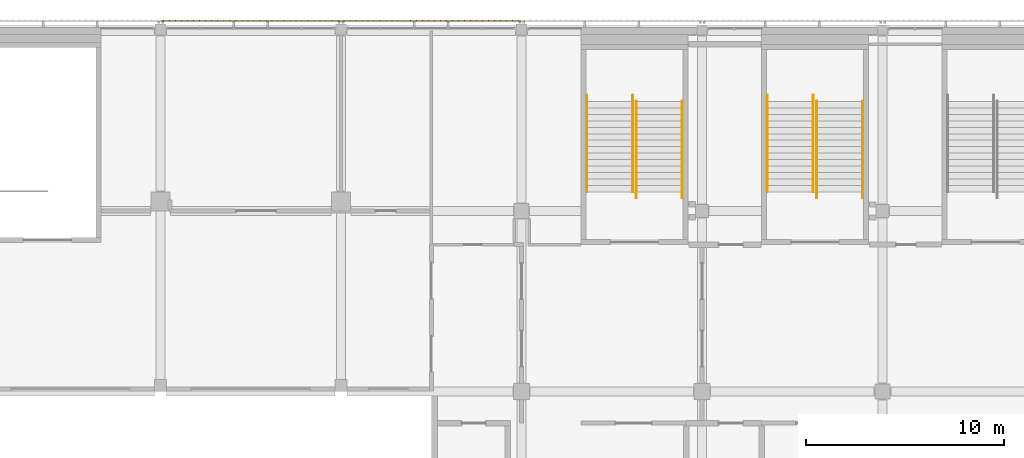
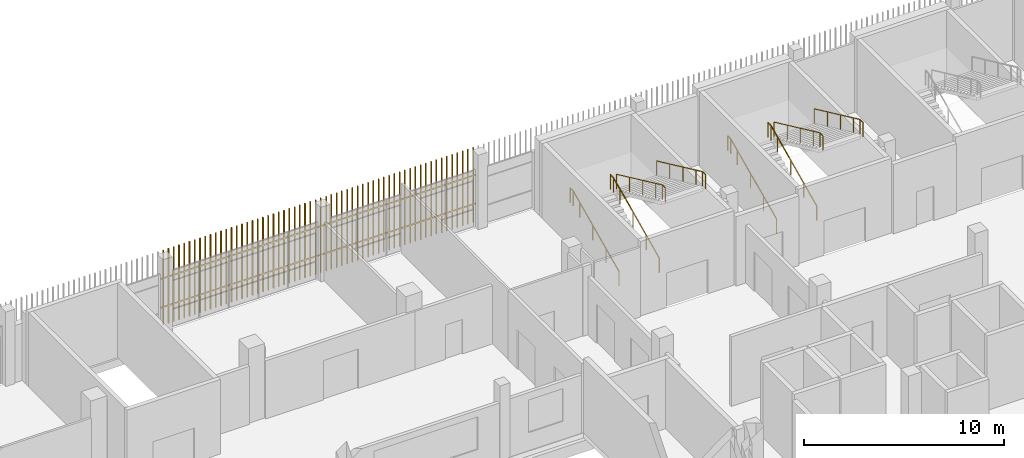
# One storey, part 98 of 104: 8 railings, 2 shading devices.
"""IFC4 building model written with IfcOpenShell, lengths in metres."""

from ifc_helpers import new_model, si_unit, direction, frame, origin, origin_2d, place, context, subcontext, project, spatial, rectangle, circle, extrude, material, type_object, element, save


model = new_model("IFC4")

# Units and contexts
model_context = context("Model", 3, precision=1e-05, world=origin(), true_north=direction((0.0, 1.0)))
body_context = subcontext(model_context, "Body", "Model", "MODEL_VIEW")
ifc_project = project(units=[si_unit("LENGTHUNIT", "METRE"), si_unit("AREAUNIT", "SQUARE_METRE"), si_unit("VOLUMEUNIT", "CUBIC_METRE"), si_unit("PLANEANGLEUNIT", "RADIAN"), si_unit("MASSUNIT", "GRAM", prefix="KILO")], contexts=[model_context])

# Site, building, storey
site_placement = place(None, origin())
site = spatial("IfcSite", under=ifc_project, at=site_placement, CompositionType="ELEMENT")
building_placement = place(site_placement, origin())
building = spatial("IfcBuilding", under=site, at=building_placement, Name="Shirokan Park Arena", CompositionType="ELEMENT")
storey_placement = place(building_placement, frame((0.0, 0.0, 10.919921875)))
storey = spatial("IfcBuildingStorey", under=building, at=storey_placement, Name="L02", CompositionType="ELEMENT", Elevation=10.919921875)

# Railings
ifc_material_1 = material(Name="Stainless steel", Category="steel")
railing_type = type_object("IfcRailingType", Name="Stair handrail 900", PredefinedType="HANDRAIL", material=ifc_material_1)
railing_1_placement = place(storey_placement, frame((121.590087890625, 101.050048828125, 0.15185546875)))
element("IfcRailing", 1, at=railing_1_placement, inside=storey, type_object=railing_type, Name="Handrail Exit Stair 3.C L02 to L03", PredefinedType="HANDRAIL", context=body_context, shape_type="SweptSolid", body=[
    extrude(circle(Radius=0.02392578125, at=origin_2d()), frame((0.0, 0.0, 0.8759765625), z_axis=(0.0, 0.907064445915, 0.420991794405), x_axis=(-1.0, 0.0, 0.0)), (0.0, 0.0, 1.0), 1.4404296875),
    extrude(circle(Radius=0.02392578125, at=origin_2d()), frame((0.0, 1.306640625, 1.482421875), z_axis=(0.0, 0.907029769225, 0.421066500378), x_axis=(-1.0, 0.0, 0.0)), (0.0, 0.0, 1.0), 1.44091796875),
    extrude(circle(Radius=0.02392578125, at=origin_2d()), frame((0.0, 2.613525390625, 2.0888671875), z_axis=(0.0, 0.907029769225, 0.421066500378), x_axis=(-1.0, 0.0, 0.0)), (0.0, 0.0, 1.0), 1.44091796875),
    extrude(circle(Radius=0.02392578125, at=origin_2d()), frame((0.0, 3.92041015625, 2.69580078125), z_axis=(0.0, 0.906934982928, 0.421270621741), x_axis=(-1.0, 0.0, 0.0)), (0.0, 0.0, 1.0), 0.720458984375),
    extrude(circle(Radius=0.02392578125, at=origin_2d()), frame((0.0, 4.57373046875, 2.9990234375), z_axis=(0.0, 1.0, 0.0), x_axis=(-1.0, 0.0, 0.0)), (0.0, 0.0, 1.0), 0.300048828125),
    extrude(circle(Radius=0.02099609375, at=origin_2d()), origin(), (0.0, 0.0, 1.0), 0.851806640625),
    extrude(circle(Radius=0.02099609375, at=origin_2d()), frame((0.0, 1.306640625, 0.6064453125)), (0.0, 0.0, 1.0), 0.851806640625),
    extrude(circle(Radius=0.02099609375, at=origin_2d()), frame((0.0, 2.613525390625, 1.213134765625)), (0.0, 0.0, 1.0), 0.851806640625),
    extrude(circle(Radius=0.02099609375, at=origin_2d()), frame((0.0, 3.92041015625, 1.81982421875)), (0.0, 0.0, 1.0), 0.851806640625),
    extrude(circle(Radius=0.02099609375, at=origin_2d()), frame((0.0, 4.57373046875, 2.123291015625)), (0.0, 0.0, 1.0), 0.851806640625),
    extrude(circle(Radius=0.02099609375, at=origin_2d()), frame((0.0, 4.873779296875, 2.123291015625)), (0.0, 0.0, 1.0), 0.851806640625),
])
railing_2_placement = place(storey_placement, frame((123.909912109375, 101.050048828125, 0.15185546875)))
element("IfcRailing", 2, at=railing_2_placement, inside=storey, type_object=railing_type, Name="Handrail Exit Stair 3.C L02 to L03", PredefinedType="HANDRAIL", context=body_context, shape_type="SweptSolid", body=[
    extrude(circle(Radius=0.02392578125, at=origin_2d()), frame((0.0, 0.0, 0.8759765625), z_axis=(0.0, 0.907064445915, 0.420991794405), x_axis=(-1.0, 0.0, 0.0)), (0.0, 0.0, 1.0), 1.4404296875),
    extrude(circle(Radius=0.02392578125, at=origin_2d()), frame((0.0, 1.306640625, 1.482421875), z_axis=(0.0, 0.907029769225, 0.421066500378), x_axis=(-1.0, 0.0, 0.0)), (0.0, 0.0, 1.0), 1.44091796875),
    extrude(circle(Radius=0.02392578125, at=origin_2d()), frame((0.0, 2.613525390625, 2.0888671875), z_axis=(0.0, 0.907029769225, 0.421066500378), x_axis=(-1.0, 0.0, 0.0)), (0.0, 0.0, 1.0), 1.44091796875),
    extrude(circle(Radius=0.02392578125, at=origin_2d()), frame((0.0, 3.92041015625, 2.69580078125), z_axis=(0.0, 0.906934982928, 0.421270621741), x_axis=(-1.0, 0.0, 0.0)), (0.0, 0.0, 1.0), 0.720458984375),
    extrude(circle(Radius=0.02392578125, at=origin_2d()), frame((0.0, 4.57373046875, 2.9990234375), z_axis=(0.0, 1.0, 0.0), x_axis=(-1.0, 0.0, 0.0)), (0.0, 0.0, 1.0), 0.300048828125),
    extrude(circle(Radius=0.02099609375, at=origin_2d()), origin(), (0.0, 0.0, 1.0), 0.851806640625),
    extrude(circle(Radius=0.02099609375, at=origin_2d()), frame((0.0, 1.306640625, 0.6064453125)), (0.0, 0.0, 1.0), 0.851806640625),
    extrude(circle(Radius=0.02099609375, at=origin_2d()), frame((0.0, 2.613525390625, 1.213134765625)), (0.0, 0.0, 1.0), 0.851806640625),
    extrude(circle(Radius=0.02099609375, at=origin_2d()), frame((0.0, 3.92041015625, 1.81982421875)), (0.0, 0.0, 1.0), 0.851806640625),
    extrude(circle(Radius=0.02099609375, at=origin_2d()), frame((0.0, 4.57373046875, 2.123291015625)), (0.0, 0.0, 1.0), 0.851806640625),
    extrude(circle(Radius=0.02099609375, at=origin_2d()), frame((0.0, 4.873779296875, 2.123291015625)), (0.0, 0.0, 1.0), 0.851806640625),
])
railing_3_placement = place(storey_placement, frame((124.090087890625, 105.623779296875, 2.4267578125)))
element("IfcRailing", 3, at=railing_3_placement, inside=storey, type_object=railing_type, Name="Handrail Exit Stair 3.C L02 to L03", PredefinedType="HANDRAIL", context=body_context, shape_type="SweptSolid", body=[
    extrude(circle(Radius=0.02392578125, at=origin_2d()), frame((0.0, 0.0, 0.8759765625), z_axis=(0.0, -0.907029769225, 0.421066500378), x_axis=(1.0, 0.0, 0.0)), (0.0, 0.0, 1.0), 1.44091796875),
    extrude(circle(Radius=0.02392578125, at=origin_2d()), frame((0.0, -1.306884765625, 1.482421875), z_axis=(0.0, -0.906999720516, 0.421131222998), x_axis=(1.0, 0.0, 0.0)), (0.0, 0.0, 1.0), 1.440673828125),
    extrude(circle(Radius=0.02392578125, at=origin_2d()), frame((0.0, -2.613525390625, 2.08935546875), z_axis=(0.0, -0.907029769225, 0.421066500378), x_axis=(1.0, 0.0, 0.0)), (0.0, 0.0, 1.0), 1.44091796875),
    extrude(circle(Radius=0.02392578125, at=origin_2d()), frame((0.0, -3.92041015625, 2.69580078125), z_axis=(0.0, -0.907064445915, 0.420991794405), x_axis=(1.0, 0.0, 0.0)), (0.0, 0.0, 1.0), 0.72021484375),
    extrude(circle(Radius=0.02392578125, at=origin_2d()), frame((0.0, -4.57373046875, 2.9990234375), z_axis=(0.0, -1.0, 0.0), x_axis=(1.0, 0.0, 0.0)), (0.0, 0.0, 1.0), 0.300048828125),
    extrude(circle(Radius=0.02099609375, at=origin_2d()), origin(), (0.0, 0.0, 1.0), 0.851806640625),
    extrude(circle(Radius=0.02099609375, at=origin_2d()), frame((0.0, -1.306884765625, 0.606689453125)), (0.0, 0.0, 1.0), 0.851806640625),
    extrude(circle(Radius=0.02099609375, at=origin_2d()), frame((0.0, -2.613525390625, 1.21337890625)), (0.0, 0.0, 1.0), 0.851806640625),
    extrude(circle(Radius=0.02099609375, at=origin_2d()), frame((0.0, -3.92041015625, 1.820068359375)), (0.0, 0.0, 1.0), 0.851806640625),
    extrude(circle(Radius=0.02099609375, at=origin_2d()), frame((0.0, -4.57373046875, 2.123291015625)), (0.0, 0.0, 1.0), 0.851806640625),
    extrude(circle(Radius=0.02099609375, at=origin_2d()), frame((0.0, -4.873779296875, 2.123291015625)), (0.0, 0.0, 1.0), 0.851806640625),
])
railing_4_placement = place(storey_placement, frame((126.409912109375, 105.623779296875, 2.4267578125)))
element("IfcRailing", 4, at=railing_4_placement, inside=storey, type_object=railing_type, Name="Handrail Exit Stair 3.C L02 to L03", PredefinedType="HANDRAIL", context=body_context, shape_type="SweptSolid", body=[
    extrude(circle(Radius=0.02392578125, at=origin_2d()), frame((0.0, 0.0, 0.8759765625), z_axis=(0.0, -0.907029769225, 0.421066500378), x_axis=(1.0, 0.0, 0.0)), (0.0, 0.0, 1.0), 1.44091796875),
    extrude(circle(Radius=0.02392578125, at=origin_2d()), frame((0.0, -1.306884765625, 1.482421875), z_axis=(0.0, -0.906999720516, 0.421131222998), x_axis=(1.0, 0.0, 0.0)), (0.0, 0.0, 1.0), 1.440673828125),
    extrude(circle(Radius=0.02392578125, at=origin_2d()), frame((0.0, -2.613525390625, 2.08935546875), z_axis=(0.0, -0.907029769225, 0.421066500378), x_axis=(1.0, 0.0, 0.0)), (0.0, 0.0, 1.0), 1.44091796875),
    extrude(circle(Radius=0.02392578125, at=origin_2d()), frame((0.0, -3.92041015625, 2.69580078125), z_axis=(0.0, -0.907064445915, 0.420991794405), x_axis=(1.0, 0.0, 0.0)), (0.0, 0.0, 1.0), 0.72021484375),
    extrude(circle(Radius=0.02392578125, at=origin_2d()), frame((0.0, -4.57373046875, 2.9990234375), z_axis=(0.0, -1.0, 0.0), x_axis=(1.0, 0.0, 0.0)), (0.0, 0.0, 1.0), 0.300048828125),
    extrude(circle(Radius=0.02099609375, at=origin_2d()), origin(), (0.0, 0.0, 1.0), 0.851806640625),
    extrude(circle(Radius=0.02099609375, at=origin_2d()), frame((0.0, -1.306884765625, 0.606689453125)), (0.0, 0.0, 1.0), 0.851806640625),
    extrude(circle(Radius=0.02099609375, at=origin_2d()), frame((0.0, -2.613525390625, 1.21337890625)), (0.0, 0.0, 1.0), 0.851806640625),
    extrude(circle(Radius=0.02099609375, at=origin_2d()), frame((0.0, -3.92041015625, 1.820068359375)), (0.0, 0.0, 1.0), 0.851806640625),
    extrude(circle(Radius=0.02099609375, at=origin_2d()), frame((0.0, -4.57373046875, 2.123291015625)), (0.0, 0.0, 1.0), 0.851806640625),
    extrude(circle(Radius=0.02099609375, at=origin_2d()), frame((0.0, -4.873779296875, 2.123291015625)), (0.0, 0.0, 1.0), 0.851806640625),
])
railing_5_placement = place(storey_placement, frame((112.489990234375, 101.050048828125, 0.15185546875)))
element("IfcRailing", 5, at=railing_5_placement, inside=storey, type_object=railing_type, Name="Handrail Exit Stair 3.D L02 to L03", PredefinedType="HANDRAIL", context=body_context, shape_type="SweptSolid", body=[
    extrude(circle(Radius=0.02392578125, at=origin_2d()), frame((0.0, 0.0, 0.8759765625), z_axis=(0.0, 0.907064445915, 0.420991794405), x_axis=(-1.0, 0.0, 0.0)), (0.0, 0.0, 1.0), 1.4404296875),
    extrude(circle(Radius=0.02392578125, at=origin_2d()), frame((0.0, 1.306640625, 1.482421875), z_axis=(0.0, 0.907029769225, 0.421066500378), x_axis=(-1.0, 0.0, 0.0)), (0.0, 0.0, 1.0), 1.44091796875),
    extrude(circle(Radius=0.02392578125, at=origin_2d()), frame((0.0, 2.613525390625, 2.0888671875), z_axis=(0.0, 0.907029769225, 0.421066500378), x_axis=(-1.0, 0.0, 0.0)), (0.0, 0.0, 1.0), 1.44091796875),
    extrude(circle(Radius=0.02392578125, at=origin_2d()), frame((0.0, 3.92041015625, 2.69580078125), z_axis=(0.0, 0.906934982928, 0.421270621741), x_axis=(-1.0, 0.0, 0.0)), (0.0, 0.0, 1.0), 0.720458984375),
    extrude(circle(Radius=0.02392578125, at=origin_2d()), frame((0.0, 4.57373046875, 2.9990234375), z_axis=(0.0, 1.0, 0.0), x_axis=(-1.0, 0.0, 0.0)), (0.0, 0.0, 1.0), 0.300048828125),
    extrude(circle(Radius=0.02099609375, at=origin_2d()), origin(), (0.0, 0.0, 1.0), 0.851806640625),
    extrude(circle(Radius=0.02099609375, at=origin_2d()), frame((0.0, 1.306640625, 0.6064453125)), (0.0, 0.0, 1.0), 0.851806640625),
    extrude(circle(Radius=0.02099609375, at=origin_2d()), frame((0.0, 2.613525390625, 1.213134765625)), (0.0, 0.0, 1.0), 0.851806640625),
    extrude(circle(Radius=0.02099609375, at=origin_2d()), frame((0.0, 3.92041015625, 1.81982421875)), (0.0, 0.0, 1.0), 0.851806640625),
    extrude(circle(Radius=0.02099609375, at=origin_2d()), frame((0.0, 4.57373046875, 2.123291015625)), (0.0, 0.0, 1.0), 0.851806640625),
    extrude(circle(Radius=0.02099609375, at=origin_2d()), frame((0.0, 4.873779296875, 2.123291015625)), (0.0, 0.0, 1.0), 0.851806640625),
])
railing_6_placement = place(storey_placement, frame((114.81005859375, 101.050048828125, 0.15185546875)))
element("IfcRailing", 6, at=railing_6_placement, inside=storey, type_object=railing_type, Name="Handrail Exit Stair 3.D L02 to L03", PredefinedType="HANDRAIL", context=body_context, shape_type="SweptSolid", body=[
    extrude(circle(Radius=0.02392578125, at=origin_2d()), frame((0.0, 0.0, 0.8759765625), z_axis=(0.0, 0.907064445915, 0.420991794405), x_axis=(-1.0, 0.0, 0.0)), (0.0, 0.0, 1.0), 1.4404296875),
    extrude(circle(Radius=0.02392578125, at=origin_2d()), frame((0.0, 1.306640625, 1.482421875), z_axis=(0.0, 0.907029769225, 0.421066500378), x_axis=(-1.0, 0.0, 0.0)), (0.0, 0.0, 1.0), 1.44091796875),
    extrude(circle(Radius=0.02392578125, at=origin_2d()), frame((0.0, 2.613525390625, 2.0888671875), z_axis=(0.0, 0.907029769225, 0.421066500378), x_axis=(-1.0, 0.0, 0.0)), (0.0, 0.0, 1.0), 1.44091796875),
    extrude(circle(Radius=0.02392578125, at=origin_2d()), frame((0.0, 3.92041015625, 2.69580078125), z_axis=(0.0, 0.906934982928, 0.421270621741), x_axis=(-1.0, 0.0, 0.0)), (0.0, 0.0, 1.0), 0.720458984375),
    extrude(circle(Radius=0.02392578125, at=origin_2d()), frame((0.0, 4.57373046875, 2.9990234375), z_axis=(0.0, 1.0, 0.0), x_axis=(-1.0, 0.0, 0.0)), (0.0, 0.0, 1.0), 0.300048828125),
    extrude(circle(Radius=0.02099609375, at=origin_2d()), origin(), (0.0, 0.0, 1.0), 0.851806640625),
    extrude(circle(Radius=0.02099609375, at=origin_2d()), frame((0.0, 1.306640625, 0.6064453125)), (0.0, 0.0, 1.0), 0.851806640625),
    extrude(circle(Radius=0.02099609375, at=origin_2d()), frame((0.0, 2.613525390625, 1.213134765625)), (0.0, 0.0, 1.0), 0.851806640625),
    extrude(circle(Radius=0.02099609375, at=origin_2d()), frame((0.0, 3.92041015625, 1.81982421875)), (0.0, 0.0, 1.0), 0.851806640625),
    extrude(circle(Radius=0.02099609375, at=origin_2d()), frame((0.0, 4.57373046875, 2.123291015625)), (0.0, 0.0, 1.0), 0.851806640625),
    extrude(circle(Radius=0.02099609375, at=origin_2d()), frame((0.0, 4.873779296875, 2.123291015625)), (0.0, 0.0, 1.0), 0.851806640625),
])
railing_7_placement = place(storey_placement, frame((114.989990234375, 105.623779296875, 2.4267578125)))
element("IfcRailing", 7, at=railing_7_placement, inside=storey, type_object=railing_type, Name="Handrail Exit Stair 3.D L02 to L03", PredefinedType="HANDRAIL", context=body_context, shape_type="SweptSolid", body=[
    extrude(circle(Radius=0.02392578125, at=origin_2d()), frame((0.0, 0.0, 0.8759765625), z_axis=(0.0, -0.907029769225, 0.421066500378), x_axis=(1.0, 0.0, 0.0)), (0.0, 0.0, 1.0), 1.44091796875),
    extrude(circle(Radius=0.02392578125, at=origin_2d()), frame((0.0, -1.306884765625, 1.482421875), z_axis=(0.0, -0.906999720516, 0.421131222998), x_axis=(1.0, 0.0, 0.0)), (0.0, 0.0, 1.0), 1.440673828125),
    extrude(circle(Radius=0.02392578125, at=origin_2d()), frame((0.0, -2.613525390625, 2.08935546875), z_axis=(0.0, -0.907029769225, 0.421066500378), x_axis=(1.0, 0.0, 0.0)), (0.0, 0.0, 1.0), 1.44091796875),
    extrude(circle(Radius=0.02392578125, at=origin_2d()), frame((0.0, -3.92041015625, 2.69580078125), z_axis=(0.0, -0.907064445915, 0.420991794405), x_axis=(1.0, 0.0, 0.0)), (0.0, 0.0, 1.0), 0.72021484375),
    extrude(circle(Radius=0.02392578125, at=origin_2d()), frame((0.0, -4.57373046875, 2.9990234375), z_axis=(0.0, -1.0, 0.0), x_axis=(1.0, 0.0, 0.0)), (0.0, 0.0, 1.0), 0.300048828125),
    extrude(circle(Radius=0.02099609375, at=origin_2d()), origin(), (0.0, 0.0, 1.0), 0.851806640625),
    extrude(circle(Radius=0.02099609375, at=origin_2d()), frame((0.0, -1.306884765625, 0.606689453125)), (0.0, 0.0, 1.0), 0.851806640625),
    extrude(circle(Radius=0.02099609375, at=origin_2d()), frame((0.0, -2.613525390625, 1.21337890625)), (0.0, 0.0, 1.0), 0.851806640625),
    extrude(circle(Radius=0.02099609375, at=origin_2d()), frame((0.0, -3.92041015625, 1.820068359375)), (0.0, 0.0, 1.0), 0.851806640625),
    extrude(circle(Radius=0.02099609375, at=origin_2d()), frame((0.0, -4.57373046875, 2.123291015625)), (0.0, 0.0, 1.0), 0.851806640625),
    extrude(circle(Radius=0.02099609375, at=origin_2d()), frame((0.0, -4.873779296875, 2.123291015625)), (0.0, 0.0, 1.0), 0.851806640625),
])
railing_8_placement = place(storey_placement, frame((117.31005859375, 105.623779296875, 2.4267578125)))
element("IfcRailing", 8, at=railing_8_placement, inside=storey, type_object=railing_type, Name="Handrail Exit Stair 3.D L02 to L03", PredefinedType="HANDRAIL", context=body_context, shape_type="SweptSolid", body=[
    extrude(circle(Radius=0.02392578125, at=origin_2d()), frame((0.0, 0.0, 0.8759765625), z_axis=(0.0, -0.907029769225, 0.421066500378), x_axis=(1.0, 0.0, 0.0)), (0.0, 0.0, 1.0), 1.44091796875),
    extrude(circle(Radius=0.02392578125, at=origin_2d()), frame((0.0, -1.306884765625, 1.482421875), z_axis=(0.0, -0.906999720516, 0.421131222998), x_axis=(1.0, 0.0, 0.0)), (0.0, 0.0, 1.0), 1.440673828125),
    extrude(circle(Radius=0.02392578125, at=origin_2d()), frame((0.0, -2.613525390625, 2.08935546875), z_axis=(0.0, -0.907029769225, 0.421066500378), x_axis=(1.0, 0.0, 0.0)), (0.0, 0.0, 1.0), 1.44091796875),
    extrude(circle(Radius=0.02392578125, at=origin_2d()), frame((0.0, -3.92041015625, 2.69580078125), z_axis=(0.0, -0.907064445915, 0.420991794405), x_axis=(1.0, 0.0, 0.0)), (0.0, 0.0, 1.0), 0.72021484375),
    extrude(circle(Radius=0.02392578125, at=origin_2d()), frame((0.0, -4.57373046875, 2.9990234375), z_axis=(0.0, -1.0, 0.0), x_axis=(1.0, 0.0, 0.0)), (0.0, 0.0, 1.0), 0.300048828125),
    extrude(circle(Radius=0.02099609375, at=origin_2d()), origin(), (0.0, 0.0, 1.0), 0.851806640625),
    extrude(circle(Radius=0.02099609375, at=origin_2d()), frame((0.0, -1.306884765625, 0.606689453125)), (0.0, 0.0, 1.0), 0.851806640625),
    extrude(circle(Radius=0.02099609375, at=origin_2d()), frame((0.0, -2.613525390625, 1.21337890625)), (0.0, 0.0, 1.0), 0.851806640625),
    extrude(circle(Radius=0.02099609375, at=origin_2d()), frame((0.0, -3.92041015625, 1.820068359375)), (0.0, 0.0, 1.0), 0.851806640625),
    extrude(circle(Radius=0.02099609375, at=origin_2d()), frame((0.0, -4.57373046875, 2.123291015625)), (0.0, 0.0, 1.0), 0.851806640625),
    extrude(circle(Radius=0.02099609375, at=origin_2d()), frame((0.0, -4.873779296875, 2.123291015625)), (0.0, 0.0, 1.0), 0.851806640625),
])

# Shading devices
ifc_material_2 = material(Name="Timber louvre veil (cedar)", Category="wood")
shading_device_type = type_object("IfcShadingDeviceType", Name="Timber louvre veil panel", PredefinedType="JALOUSIE", material=ifc_material_2)
shading_device_1_placement = place(storey_placement, origin())
element("IfcShadingDevice", 9, at=shading_device_1_placement, inside=storey, type_object=shading_device_type, Name="Timber louvre veil north bay 5 L02", PredefinedType="JALOUSIE", context=body_context, shape_type="SweptSolid", body=[
    extrude(rectangle(XDim=0.050048828125, YDim=0.080078125, at=origin_2d()), frame((109.04833984375, 109.68505859375, 0.0), z_axis=(0.0, 0.0, 1.0), x_axis=(-1.0, 0.0, 0.0)), (0.0, 0.0, 1.0), 4.550048828125),
    extrude(rectangle(XDim=0.050048828125, YDim=0.080078125, at=origin_2d()), frame((108.7451171875, 109.68505859375, 0.0), z_axis=(0.0, 0.0, 1.0), x_axis=(-1.0, 0.0, 0.0)), (0.0, 0.0, 1.0), 4.550048828125),
    extrude(rectangle(XDim=0.050048828125, YDim=0.080078125, at=origin_2d()), frame((108.441650390625, 109.68505859375, 0.0), z_axis=(0.0, 0.0, 1.0), x_axis=(-1.0, 0.0, 0.0)), (0.0, 0.0, 1.0), 4.550048828125),
    extrude(rectangle(XDim=0.050048828125, YDim=0.080078125, at=origin_2d()), frame((108.138427734375, 109.68505859375, 0.0), z_axis=(0.0, 0.0, 1.0), x_axis=(-1.0, 0.0, 0.0)), (0.0, 0.0, 1.0), 4.550048828125),
    extrude(rectangle(XDim=0.050048828125, YDim=0.080078125, at=origin_2d()), frame((107.8349609375, 109.68505859375, 0.0), z_axis=(0.0, 0.0, 1.0), x_axis=(-1.0, 0.0, 0.0)), (0.0, 0.0, 1.0), 4.550048828125),
    extrude(rectangle(XDim=0.050048828125, YDim=0.080078125, at=origin_2d()), frame((107.53173828125, 109.68505859375, 0.0), z_axis=(0.0, 0.0, 1.0), x_axis=(-1.0, 0.0, 0.0)), (0.0, 0.0, 1.0), 4.550048828125),
    extrude(rectangle(XDim=0.050048828125, YDim=0.080078125, at=origin_2d()), frame((107.228271484375, 109.68505859375, 0.0), z_axis=(0.0, 0.0, 1.0), x_axis=(-1.0, 0.0, 0.0)), (0.0, 0.0, 1.0), 4.550048828125),
    extrude(rectangle(XDim=0.050048828125, YDim=0.080078125, at=origin_2d()), frame((106.925048828125, 109.68505859375, 0.0), z_axis=(0.0, 0.0, 1.0), x_axis=(-1.0, 0.0, 0.0)), (0.0, 0.0, 1.0), 4.550048828125),
    extrude(rectangle(XDim=0.050048828125, YDim=0.080078125, at=origin_2d()), frame((106.62158203125, 109.68505859375, 0.0), z_axis=(0.0, 0.0, 1.0), x_axis=(-1.0, 0.0, 0.0)), (0.0, 0.0, 1.0), 4.550048828125),
    extrude(rectangle(XDim=0.050048828125, YDim=0.080078125, at=origin_2d()), frame((106.318359375, 109.68505859375, 0.0), z_axis=(0.0, 0.0, 1.0), x_axis=(-1.0, 0.0, 0.0)), (0.0, 0.0, 1.0), 4.550048828125),
    extrude(rectangle(XDim=0.050048828125, YDim=0.080078125, at=origin_2d()), frame((106.014892578125, 109.68505859375, 0.0), z_axis=(0.0, 0.0, 1.0), x_axis=(-1.0, 0.0, 0.0)), (0.0, 0.0, 1.0), 4.550048828125),
    extrude(rectangle(XDim=0.050048828125, YDim=0.080078125, at=origin_2d()), frame((105.711669921875, 109.68505859375, 0.0), z_axis=(0.0, 0.0, 1.0), x_axis=(-1.0, 0.0, 0.0)), (0.0, 0.0, 1.0), 4.550048828125),
    extrude(rectangle(XDim=0.050048828125, YDim=0.080078125, at=origin_2d()), frame((105.408447265625, 109.68505859375, 0.0), z_axis=(0.0, 0.0, 1.0), x_axis=(-1.0, 0.0, 0.0)), (0.0, 0.0, 1.0), 4.550048828125),
    extrude(rectangle(XDim=0.050048828125, YDim=0.080078125, at=origin_2d()), frame((105.10498046875, 109.68505859375, 0.0), z_axis=(0.0, 0.0, 1.0), x_axis=(-1.0, 0.0, 0.0)), (0.0, 0.0, 1.0), 4.550048828125),
    extrude(rectangle(XDim=0.050048828125, YDim=0.080078125, at=origin_2d()), frame((104.8017578125, 109.68505859375, 0.0), z_axis=(0.0, 0.0, 1.0), x_axis=(-1.0, 0.0, 0.0)), (0.0, 0.0, 1.0), 4.550048828125),
    extrude(rectangle(XDim=0.050048828125, YDim=0.080078125, at=origin_2d()), frame((104.498291015625, 109.68505859375, 0.0), z_axis=(0.0, 0.0, 1.0), x_axis=(-1.0, 0.0, 0.0)), (0.0, 0.0, 1.0), 4.550048828125),
    extrude(rectangle(XDim=0.050048828125, YDim=0.080078125, at=origin_2d()), frame((104.195068359375, 109.68505859375, 0.0), z_axis=(0.0, 0.0, 1.0), x_axis=(-1.0, 0.0, 0.0)), (0.0, 0.0, 1.0), 4.550048828125),
    extrude(rectangle(XDim=0.050048828125, YDim=0.080078125, at=origin_2d()), frame((103.8916015625, 109.68505859375, 0.0), z_axis=(0.0, 0.0, 1.0), x_axis=(-1.0, 0.0, 0.0)), (0.0, 0.0, 1.0), 4.550048828125),
    extrude(rectangle(XDim=0.050048828125, YDim=0.080078125, at=origin_2d()), frame((103.58837890625, 109.68505859375, 0.0), z_axis=(0.0, 0.0, 1.0), x_axis=(-1.0, 0.0, 0.0)), (0.0, 0.0, 1.0), 4.550048828125),
    extrude(rectangle(XDim=0.050048828125, YDim=0.080078125, at=origin_2d()), frame((103.284912109375, 109.68505859375, 0.0), z_axis=(0.0, 0.0, 1.0), x_axis=(-1.0, 0.0, 0.0)), (0.0, 0.0, 1.0), 4.550048828125),
    extrude(rectangle(XDim=0.050048828125, YDim=0.080078125, at=origin_2d()), frame((102.981689453125, 109.68505859375, 0.0), z_axis=(0.0, 0.0, 1.0), x_axis=(-1.0, 0.0, 0.0)), (0.0, 0.0, 1.0), 4.550048828125),
    extrude(rectangle(XDim=0.050048828125, YDim=0.080078125, at=origin_2d()), frame((102.67822265625, 109.68505859375, 0.0), z_axis=(0.0, 0.0, 1.0), x_axis=(-1.0, 0.0, 0.0)), (0.0, 0.0, 1.0), 4.550048828125),
    extrude(rectangle(XDim=0.050048828125, YDim=0.080078125, at=origin_2d()), frame((102.375, 109.68505859375, 0.0), z_axis=(0.0, 0.0, 1.0), x_axis=(-1.0, 0.0, 0.0)), (0.0, 0.0, 1.0), 4.550048828125),
    extrude(rectangle(XDim=0.050048828125, YDim=0.080078125, at=origin_2d()), frame((102.07177734375, 109.68505859375, 0.0), z_axis=(0.0, 0.0, 1.0), x_axis=(-1.0, 0.0, 0.0)), (0.0, 0.0, 1.0), 4.550048828125),
    extrude(rectangle(XDim=0.050048828125, YDim=0.080078125, at=origin_2d()), frame((101.768310546875, 109.68505859375, 0.0), z_axis=(0.0, 0.0, 1.0), x_axis=(-1.0, 0.0, 0.0)), (0.0, 0.0, 1.0), 4.550048828125),
    extrude(rectangle(XDim=0.050048828125, YDim=0.080078125, at=origin_2d()), frame((101.465087890625, 109.68505859375, 0.0), z_axis=(0.0, 0.0, 1.0), x_axis=(-1.0, 0.0, 0.0)), (0.0, 0.0, 1.0), 4.550048828125),
    extrude(rectangle(XDim=0.050048828125, YDim=0.080078125, at=origin_2d()), frame((101.16162109375, 109.68505859375, 0.0), z_axis=(0.0, 0.0, 1.0), x_axis=(-1.0, 0.0, 0.0)), (0.0, 0.0, 1.0), 4.550048828125),
    extrude(rectangle(XDim=0.050048828125, YDim=0.080078125, at=origin_2d()), frame((100.8583984375, 109.68505859375, 0.0), z_axis=(0.0, 0.0, 1.0), x_axis=(-1.0, 0.0, 0.0)), (0.0, 0.0, 1.0), 4.550048828125),
    extrude(rectangle(XDim=0.050048828125, YDim=0.080078125, at=origin_2d()), frame((100.554931640625, 109.68505859375, 0.0), z_axis=(0.0, 0.0, 1.0), x_axis=(-1.0, 0.0, 0.0)), (0.0, 0.0, 1.0), 4.550048828125),
    extrude(rectangle(XDim=0.050048828125, YDim=0.080078125, at=origin_2d()), frame((100.251708984375, 109.68505859375, 0.0), z_axis=(0.0, 0.0, 1.0), x_axis=(-1.0, 0.0, 0.0)), (0.0, 0.0, 1.0), 4.550048828125),
    extrude(rectangle(XDim=9.10009765625, YDim=0.050048828125, at=origin_2d()), frame((104.64990234375, 109.669921875, 1.06005859375), z_axis=(0.0, 0.0, 1.0), x_axis=(-1.0, 0.0, 0.0)), (0.0, 0.0, 1.0), 0.080078125),
    extrude(rectangle(XDim=9.10009765625, YDim=0.050048828125, at=origin_2d()), frame((104.64990234375, 109.669921875, 2.81005859375), z_axis=(0.0, 0.0, 1.0), x_axis=(-1.0, 0.0, 0.0)), (0.0, 0.0, 1.0), 0.080078125),
])
shading_device_2_placement = place(storey_placement, origin())
element("IfcShadingDevice", 10, at=shading_device_2_placement, inside=storey, type_object=shading_device_type, Name="Timber louvre veil north bay 6 L02", PredefinedType="JALOUSIE", context=body_context, shape_type="SweptSolid", body=[
    extrude(rectangle(XDim=0.050048828125, YDim=0.080078125, at=origin_2d()), frame((99.9482421875, 109.68505859375, 0.0), z_axis=(0.0, 0.0, 1.0), x_axis=(-1.0, 0.0, 0.0)), (0.0, 0.0, 1.0), 4.550048828125),
    extrude(rectangle(XDim=0.050048828125, YDim=0.080078125, at=origin_2d()), frame((99.64501953125, 109.68505859375, 0.0), z_axis=(0.0, 0.0, 1.0), x_axis=(-1.0, 0.0, 0.0)), (0.0, 0.0, 1.0), 4.550048828125),
    extrude(rectangle(XDim=0.050048828125, YDim=0.080078125, at=origin_2d()), frame((99.341552734375, 109.68505859375, 0.0), z_axis=(0.0, 0.0, 1.0), x_axis=(-1.0, 0.0, 0.0)), (0.0, 0.0, 1.0), 4.550048828125),
    extrude(rectangle(XDim=0.050048828125, YDim=0.080078125, at=origin_2d()), frame((99.038330078125, 109.68505859375, 0.0), z_axis=(0.0, 0.0, 1.0), x_axis=(-1.0, 0.0, 0.0)), (0.0, 0.0, 1.0), 4.550048828125),
    extrude(rectangle(XDim=0.050048828125, YDim=0.080078125, at=origin_2d()), frame((98.735107421875, 109.68505859375, 0.0), z_axis=(0.0, 0.0, 1.0), x_axis=(-1.0, 0.0, 0.0)), (0.0, 0.0, 1.0), 4.550048828125),
    extrude(rectangle(XDim=0.050048828125, YDim=0.080078125, at=origin_2d()), frame((98.431640625, 109.68505859375, 0.0), z_axis=(0.0, 0.0, 1.0), x_axis=(-1.0, 0.0, 0.0)), (0.0, 0.0, 1.0), 4.550048828125),
    extrude(rectangle(XDim=0.050048828125, YDim=0.080078125, at=origin_2d()), frame((98.12841796875, 109.68505859375, 0.0), z_axis=(0.0, 0.0, 1.0), x_axis=(-1.0, 0.0, 0.0)), (0.0, 0.0, 1.0), 4.550048828125),
    extrude(rectangle(XDim=0.050048828125, YDim=0.080078125, at=origin_2d()), frame((97.824951171875, 109.68505859375, 0.0), z_axis=(0.0, 0.0, 1.0), x_axis=(-1.0, 0.0, 0.0)), (0.0, 0.0, 1.0), 4.550048828125),
    extrude(rectangle(XDim=0.050048828125, YDim=0.080078125, at=origin_2d()), frame((97.521728515625, 109.68505859375, 0.0), z_axis=(0.0, 0.0, 1.0), x_axis=(-1.0, 0.0, 0.0)), (0.0, 0.0, 1.0), 4.550048828125),
    extrude(rectangle(XDim=0.050048828125, YDim=0.080078125, at=origin_2d()), frame((97.21826171875, 109.68505859375, 0.0), z_axis=(0.0, 0.0, 1.0), x_axis=(-1.0, 0.0, 0.0)), (0.0, 0.0, 1.0), 4.550048828125),
    extrude(rectangle(XDim=0.050048828125, YDim=0.080078125, at=origin_2d()), frame((96.9150390625, 109.68505859375, 0.0), z_axis=(0.0, 0.0, 1.0), x_axis=(-1.0, 0.0, 0.0)), (0.0, 0.0, 1.0), 4.550048828125),
    extrude(rectangle(XDim=0.050048828125, YDim=0.080078125, at=origin_2d()), frame((96.611572265625, 109.68505859375, 0.0), z_axis=(0.0, 0.0, 1.0), x_axis=(-1.0, 0.0, 0.0)), (0.0, 0.0, 1.0), 4.550048828125),
    extrude(rectangle(XDim=0.050048828125, YDim=0.080078125, at=origin_2d()), frame((96.308349609375, 109.68505859375, 0.0), z_axis=(0.0, 0.0, 1.0), x_axis=(-1.0, 0.0, 0.0)), (0.0, 0.0, 1.0), 4.550048828125),
    extrude(rectangle(XDim=0.050048828125, YDim=0.080078125, at=origin_2d()), frame((96.0048828125, 109.68505859375, 0.0), z_axis=(0.0, 0.0, 1.0), x_axis=(-1.0, 0.0, 0.0)), (0.0, 0.0, 1.0), 4.550048828125),
    extrude(rectangle(XDim=0.050048828125, YDim=0.080078125, at=origin_2d()), frame((95.70166015625, 109.68505859375, 0.0), z_axis=(0.0, 0.0, 1.0), x_axis=(-1.0, 0.0, 0.0)), (0.0, 0.0, 1.0), 4.550048828125),
    extrude(rectangle(XDim=0.050048828125, YDim=0.080078125, at=origin_2d()), frame((95.3984375, 109.68505859375, 0.0), z_axis=(0.0, 0.0, 1.0), x_axis=(-1.0, 0.0, 0.0)), (0.0, 0.0, 1.0), 4.550048828125),
    extrude(rectangle(XDim=0.050048828125, YDim=0.080078125, at=origin_2d()), frame((95.094970703125, 109.68505859375, 0.0), z_axis=(0.0, 0.0, 1.0), x_axis=(-1.0, 0.0, 0.0)), (0.0, 0.0, 1.0), 4.550048828125),
    extrude(rectangle(XDim=0.050048828125, YDim=0.080078125, at=origin_2d()), frame((94.791748046875, 109.68505859375, 0.0), z_axis=(0.0, 0.0, 1.0), x_axis=(-1.0, 0.0, 0.0)), (0.0, 0.0, 1.0), 4.550048828125),
    extrude(rectangle(XDim=0.050048828125, YDim=0.080078125, at=origin_2d()), frame((94.48828125, 109.68505859375, 0.0), z_axis=(0.0, 0.0, 1.0), x_axis=(-1.0, 0.0, 0.0)), (0.0, 0.0, 1.0), 4.550048828125),
    extrude(rectangle(XDim=0.050048828125, YDim=0.080078125, at=origin_2d()), frame((94.18505859375, 109.68505859375, 0.0), z_axis=(0.0, 0.0, 1.0), x_axis=(-1.0, 0.0, 0.0)), (0.0, 0.0, 1.0), 4.550048828125),
    extrude(rectangle(XDim=0.050048828125, YDim=0.080078125, at=origin_2d()), frame((93.881591796875, 109.68505859375, 0.0), z_axis=(0.0, 0.0, 1.0), x_axis=(-1.0, 0.0, 0.0)), (0.0, 0.0, 1.0), 4.550048828125),
    extrude(rectangle(XDim=0.050048828125, YDim=0.080078125, at=origin_2d()), frame((93.578369140625, 109.68505859375, 0.0), z_axis=(0.0, 0.0, 1.0), x_axis=(-1.0, 0.0, 0.0)), (0.0, 0.0, 1.0), 4.550048828125),
    extrude(rectangle(XDim=0.050048828125, YDim=0.080078125, at=origin_2d()), frame((93.27490234375, 109.68505859375, 0.0), z_axis=(0.0, 0.0, 1.0), x_axis=(-1.0, 0.0, 0.0)), (0.0, 0.0, 1.0), 4.550048828125),
    extrude(rectangle(XDim=0.050048828125, YDim=0.080078125, at=origin_2d()), frame((92.9716796875, 109.68505859375, 0.0), z_axis=(0.0, 0.0, 1.0), x_axis=(-1.0, 0.0, 0.0)), (0.0, 0.0, 1.0), 4.550048828125),
    extrude(rectangle(XDim=0.050048828125, YDim=0.080078125, at=origin_2d()), frame((92.668212890625, 109.68505859375, 0.0), z_axis=(0.0, 0.0, 1.0), x_axis=(-1.0, 0.0, 0.0)), (0.0, 0.0, 1.0), 4.550048828125),
    extrude(rectangle(XDim=0.050048828125, YDim=0.080078125, at=origin_2d()), frame((92.364990234375, 109.68505859375, 0.0), z_axis=(0.0, 0.0, 1.0), x_axis=(-1.0, 0.0, 0.0)), (0.0, 0.0, 1.0), 4.550048828125),
    extrude(rectangle(XDim=0.050048828125, YDim=0.080078125, at=origin_2d()), frame((92.061767578125, 109.68505859375, 0.0), z_axis=(0.0, 0.0, 1.0), x_axis=(-1.0, 0.0, 0.0)), (0.0, 0.0, 1.0), 4.550048828125),
    extrude(rectangle(XDim=0.050048828125, YDim=0.080078125, at=origin_2d()), frame((91.75830078125, 109.68505859375, 0.0), z_axis=(0.0, 0.0, 1.0), x_axis=(-1.0, 0.0, 0.0)), (0.0, 0.0, 1.0), 4.550048828125),
    extrude(rectangle(XDim=0.050048828125, YDim=0.080078125, at=origin_2d()), frame((91.455078125, 109.68505859375, 0.0), z_axis=(0.0, 0.0, 1.0), x_axis=(-1.0, 0.0, 0.0)), (0.0, 0.0, 1.0), 4.550048828125),
    extrude(rectangle(XDim=0.050048828125, YDim=0.080078125, at=origin_2d()), frame((91.151611328125, 109.68505859375, 0.0), z_axis=(0.0, 0.0, 1.0), x_axis=(-1.0, 0.0, 0.0)), (0.0, 0.0, 1.0), 4.550048828125),
    extrude(rectangle(XDim=9.10009765625, YDim=0.050048828125, at=origin_2d()), frame((95.550048828125, 109.669921875, 1.06005859375), z_axis=(0.0, 0.0, 1.0), x_axis=(-1.0, 0.0, 0.0)), (0.0, 0.0, 1.0), 0.080078125),
    extrude(rectangle(XDim=9.10009765625, YDim=0.050048828125, at=origin_2d()), frame((95.550048828125, 109.669921875, 2.81005859375), z_axis=(0.0, 0.0, 1.0), x_axis=(-1.0, 0.0, 0.0)), (0.0, 0.0, 1.0), 0.080078125),
])

save(model, "model.ifc")
